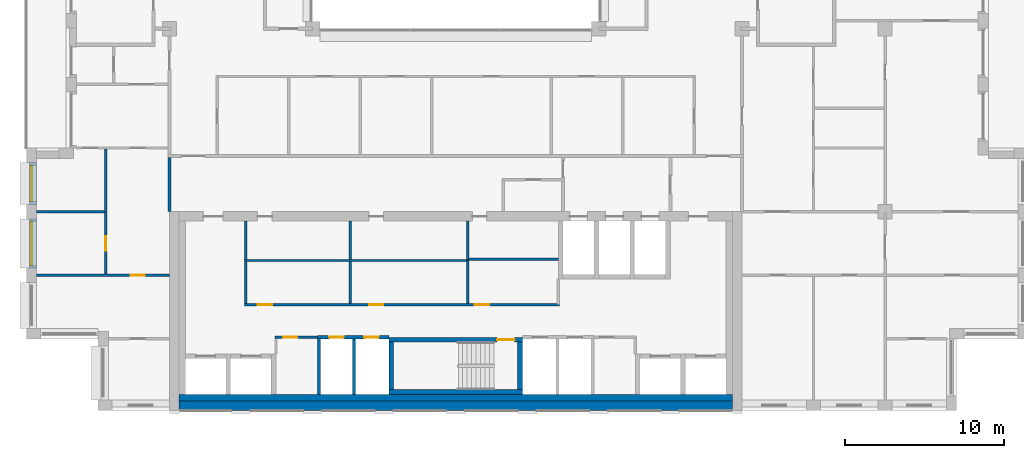
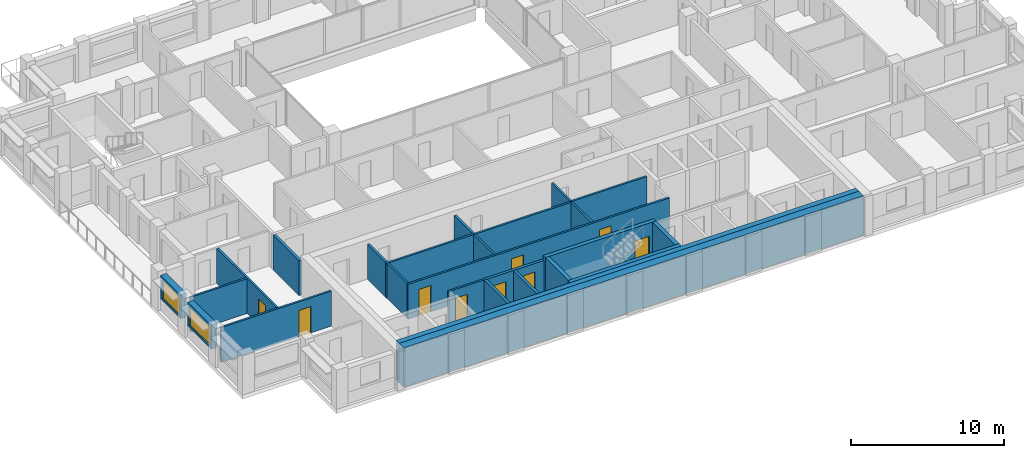
# One storey, part 8 of 15: 25 walls, 9 doors, 2 windows, 11 openings.
"""IFC4 building model written with IfcOpenShell, lengths in metres."""

import ifcopenshell
import ifcopenshell.guid

model = None  # the IFC model being written
_history = None  # IfcOwnerHistory: only IFC2X3 demands one
_inside = {}  # id of a spatial element -> (the spatial element, [elements in it])
_under = {}  # id of a project, library or spatial element -> (it, [spatial elements below it])
_declared = {}  # id of a project -> (the project, [libraries it declares])
_typed = {}  # id of a type object -> (the type object, [elements of that type])
_made_of = {}  # id of a material, layer set ... -> (it, [elements and type objects made of it])


def new_model(schema):
    """Start an empty IFC model of exactly this schema.

    Asked for "IFC4X3", IfcOpenShell would pick the latest addendum, in which some entities
    have other attributes; the version numbers below select the first issue.
    IFC2X3 requires an IfcOwnerHistory on every rooted entity: one is made here for all.
    """
    global model, _history
    if schema == "IFC4X3":
        model = ifcopenshell.file(schema_version=(4, 3, 0, 0))
    else:
        model = ifcopenshell.file(schema=schema)
    _inside.clear()
    _under.clear()
    _declared.clear()
    _typed.clear()
    _made_of.clear()
    _history = None
    if model.schema == "IFC2X3":
        org = make("IfcOrganization", Name="unknown")
        user = make(
            "IfcPersonAndOrganization",
            ThePerson=make("IfcPerson", FamilyName="unknown"),
            TheOrganization=org,
        )
        app = make(
            "IfcApplication",
            ApplicationDeveloper=org,
            Version="unknown",
            ApplicationFullName="unknown",
            ApplicationIdentifier="unknown",
        )
        _history = make(
            "IfcOwnerHistory",
            OwningUser=user,
            OwningApplication=app,
            ChangeAction="ADDED",
            CreationDate=0,
        )
    return model


def make(cls, **values):
    """One entity of the class cls with the attributes given. An attribute that is None is left unset."""
    return model.create_entity(
        cls, **{name: value for name, value in values.items() if value is not None}
    )


def rooted(cls, **values):
    """An entity with a GlobalId (a new one), such as an element, a storey or a relation."""
    return make(cls, GlobalId=ifcopenshell.guid.new(), OwnerHistory=_history, **values)


def si_unit(unit_type, name, prefix=None):
    """IfcSIUnit, for example si_unit("LENGTHUNIT", "METRE", prefix="MILLI")."""
    return make("IfcSIUnit", UnitType=unit_type, Prefix=prefix, Name=name)


def assignment(units):
    """IfcUnitAssignment: the units of a project."""
    return None if units is None else make("IfcUnitAssignment", Units=units)


def point(xyz):
    """IfcCartesianPoint."""
    return None if xyz is None else make("IfcCartesianPoint", Coordinates=xyz)


def direction(xyz):
    """IfcDirection."""
    return None if xyz is None else make("IfcDirection", DirectionRatios=xyz)


def frame(location, z_axis=None, x_axis=None):
    """IfcAxis2Placement3D, a coordinate frame: its origin and axes. An axis left out is left unset."""
    return make(
        "IfcAxis2Placement3D",
        Location=point(location),
        Axis=direction(z_axis),
        RefDirection=direction(x_axis),
    )


def frame_2d(location, x_axis=None):
    """IfcAxis2Placement2D, a coordinate frame in the plane: its origin and x axis."""
    return make(
        "IfcAxis2Placement2D", Location=point(location), RefDirection=direction(x_axis)
    )


def origin():
    """The frame at (0, 0, 0) with its axes left unset."""
    return frame((0.0, 0.0, 0.0))


def place(relative_to, where):
    """IfcLocalPlacement: puts the frame where relative to a parent placement (None: the world)."""
    return make(
        "IfcLocalPlacement", PlacementRelTo=relative_to, RelativePlacement=where
    )


def context(
    kind, dimensions, precision=None, world=None, true_north=None, identifier=None
):
    """IfcGeometricRepresentationContext, for example the 3D "Model" context."""
    return make(
        "IfcGeometricRepresentationContext",
        ContextIdentifier=identifier,
        ContextType=kind,
        CoordinateSpaceDimension=dimensions,
        Precision=precision,
        WorldCoordinateSystem=world,
        TrueNorth=true_north,
    )


def subcontext(parent, identifier, kind, view, scale=None):
    """IfcGeometricRepresentationSubContext, for example "Body" below "Model"."""
    return make(
        "IfcGeometricRepresentationSubContext",
        ContextIdentifier=identifier,
        ContextType=kind,
        ParentContext=parent,
        TargetScale=scale,
        TargetView=view,
    )


def project(units=None, contexts=None):
    """IfcProject with its units and contexts."""
    return rooted(
        "IfcProject",
        Name="project",
        RepresentationContexts=contexts,
        UnitsInContext=assignment(units),
    )


def spatial(cls, under=None, at=None, **own):
    """A site, building, storey or space (cls), placed at a placement, below another one or the project."""
    s = rooted(cls, ObjectPlacement=at, **own)
    if under is not None:
        _under.setdefault(under.id(), (under, []))[1].append(s)
    return s


def profile(cls, at=None, kind="AREA", **sizes):
    """A parametric profile (cls). Its sizes go by their IFC names, for example OverallWidth=200.0."""
    return make(cls, ProfileType=kind, Position=at, **sizes)


def rectangle(**sizes):
    """IfcRectangleProfileDef."""
    return profile("IfcRectangleProfileDef", **sizes)


def extrude(swept, where, along, depth):
    """IfcExtrudedAreaSolid: the profile swept, set in the frame where, extruded along a direction by depth."""
    return make(
        "IfcExtrudedAreaSolid",
        SweptArea=swept,
        Position=where,
        ExtrudedDirection=direction(along),
        Depth=depth,
    )


def shape(context_of_items, identifier, shape_type, items):
    """IfcShapeRepresentation: the items that make up one representation, for example the "Body"."""
    return make(
        "IfcShapeRepresentation",
        ContextOfItems=context_of_items,
        RepresentationIdentifier=identifier,
        RepresentationType=shape_type,
        Items=items,
    )


def material(Name=None, Category=None):
    """IfcMaterial."""
    return make("IfcMaterial", Name=Name, Category=Category)


def layer(
    of_material, thickness, ventilated=None, Name=None, Category=None, Priority=None
):
    """IfcMaterialLayer: one layer of a wall or slab, of a material (None: an air gap)."""
    return make(
        "IfcMaterialLayer",
        Material=of_material,
        LayerThickness=thickness,
        IsVentilated=ventilated,
        Name=Name,
        Category=Category,
        Priority=Priority,
    )


def layer_set(layers, Name=None):
    """IfcMaterialLayerSet."""
    return make("IfcMaterialLayerSet", MaterialLayers=layers, LayerSetName=Name)


def made_of(thing, what):
    """Note that an element or type object is made of a material, layer set ...; save() writes the relation."""
    if what is not None:
        _made_of.setdefault(what.id(), (what, []))[1].append(thing)
    return thing


def type_object(cls, material=None, **own):
    """A type object (cls), such as IfcWallType, which elements share."""
    return made_of(rooted(cls, **own), material)


def element(
    cls,
    number,
    at=None,
    inside=None,
    cuts=None,
    type_object=None,
    material=None,
    context=None,
    identifier="Body",
    shape_type=None,
    held_by="IfcProductDefinitionShape",
    body=None,
    shapes=None,
    **own,
):
    """One element of the class cls, such as IfcWall. Its Tag is "e" and its number.

    at: its placement. inside: the storey or other place that contains it. cuts: it is an
    opening in that element (IfcRelVoidsElement). A single representation is given by context,
    identifier, shape_type and body (its items); several are given by shapes. held_by: the class
    of the entity that holds the representations. save() writes the other relations.
    """
    e = rooted(cls, Tag="e%d" % number, ObjectPlacement=at, **own)
    if body is not None:
        shapes = [shape(context, identifier, shape_type, body)]
    if shapes is not None:
        e.Representation = make(held_by, Representations=shapes)
    if inside is not None:
        _inside.setdefault(inside.id(), (inside, []))[1].append(e)
    if cuts is not None:
        rooted(
            "IfcRelVoidsElement", RelatingBuildingElement=cuts, RelatedOpeningElement=e
        )
    if type_object is not None:
        _typed.setdefault(type_object.id(), (type_object, []))[1].append(e)
    return made_of(e, material)


def fill(opening, filler):
    """IfcRelFillsElement: the door or window that sits in an opening."""
    return rooted(
        "IfcRelFillsElement",
        RelatingOpeningElement=opening,
        RelatedBuildingElement=filler,
    )


def aggregate(whole, parts):
    """IfcRelAggregates: a whole, such as a stair, and the parts it consists of."""
    return rooted("IfcRelAggregates", RelatingObject=whole, RelatedObjects=parts)


def save(model, path):
    """Write the relations noted so far, then the file.

    IfcRelAggregates (storeys below a building ...), IfcRelContainedInSpatialStructure (elements
    in a storey), IfcRelDefinesByType, IfcRelAssociatesMaterial and IfcRelDeclares: one each for
    every whole, place, type object, material and project.
    """
    for whole, parts in _under.values():
        aggregate(whole, parts)
    for where, things in _inside.values():
        rooted(
            "IfcRelContainedInSpatialStructure",
            RelatedElements=things,
            RelatingStructure=where,
        )
    for kind, things in _typed.values():
        rooted("IfcRelDefinesByType", RelatedObjects=things, RelatingType=kind)
    for what, things in _made_of.values():
        rooted("IfcRelAssociatesMaterial", RelatedObjects=things, RelatingMaterial=what)
    for by, libraries in _declared.values():
        rooted("IfcRelDeclares", RelatingContext=by, RelatedDefinitions=libraries)
    model.write(path)


model = new_model("IFC4")

# Units and contexts
model_context = context("Model", 3, precision=1e-05, world=origin(), true_north=direction((0.0, 1.0)))
body_context = subcontext(model_context, "Body", "Model", "MODEL_VIEW")
ifc_project = project(units=[si_unit("LENGTHUNIT", "METRE"), si_unit("AREAUNIT", "SQUARE_METRE"), si_unit("VOLUMEUNIT", "CUBIC_METRE"), si_unit("PLANEANGLEUNIT", "RADIAN"), si_unit("MASSUNIT", "GRAM", prefix="KILO")], contexts=[model_context])

# Site, building, storey
site_placement = place(None, origin())
site = spatial("IfcSite", under=ifc_project, at=site_placement, CompositionType="ELEMENT")
building_placement = place(site_placement, origin())
building = spatial("IfcBuilding", under=site, at=building_placement, Name="Brigalow Station Residences", CompositionType="ELEMENT")
storey_placement = place(building_placement, frame((0.0, 0.0, 232.64990234375)))
storey = spatial("IfcBuildingStorey", under=building, at=storey_placement, Name="L67", CompositionType="ELEMENT", Elevation=232.64990234375)

# Wall, opening, window
ifc_material_1 = material(Name="Clay brick masonry", Category="masonry")
ifc_layer_1 = layer(ifc_material_1, 0.449951171875)
ifc_layer_set_1 = layer_set([ifc_layer_1], Name="BRICK INFILL WALL 450")
wall_type_1 = type_object("IfcWallType", Name="BRICK INFILL WALL 450", PredefinedType="SOLIDWALL", material=ifc_layer_set_1)
wall_1_placement = place(storey_placement, frame((9.425048828125, 15.60009765625, 0.900146484375), z_axis=(0.0, 0.0, 1.0), x_axis=(0.0, -1.0, 0.0)))
wall_1 = element("IfcWall", 1, at=wall_1_placement, inside=storey, type_object=wall_type_1, Name="L67/ewall/W-L67-41", PredefinedType="SOLIDWALL", context=body_context, shape_type="SweptSolid", body=[
    extrude(rectangle(XDim=2.650146484375, YDim=0.449951171875, at=frame_2d((1.3251953125, 0.0))), origin(), (0.0, 0.0, 1.0), 1.89990234375),
])
opening_1_placement = place(wall_1_placement, frame((0.199951171875, 0.0, 0.14990234375)))
opening_1 = element("IfcOpeningElement", 2, at=opening_1_placement, cuts=wall_1, Name="Opening WT-6", PredefinedType="OPENING", context=body_context, shape_type="SweptSolid", body=[
    extrude(rectangle(XDim=2.25, YDim=1.5, at=frame_2d((1.125, 0.75))), frame((0.0, 0.23486328125, 0.0), z_axis=(0.0, -1.0, 0.0), x_axis=(1.0, 0.0, 0.0)), (0.0, 0.0, 1.0), 0.469970703125),
])
ifc_material_2 = material(Name="Anodised aluminium frame with double glazing", Category="aluminium")
window_type_1 = type_object("IfcWindowType", Name="WINDOW 2250x1500", PartitioningType="SINGLE_PANEL", PredefinedType="WINDOW", material=ifc_material_2)
window_1_placement = place(opening_1_placement, origin())
window_1 = element("IfcWindow", 3, at=window_1_placement, inside=storey, type_object=window_type_1, Name="L67/window/W-L67-41", OverallHeight=1.5, OverallWidth=2.25, PartitioningType="SINGLE_PANEL", PredefinedType="WINDOW", context=body_context, shape_type="SweptSolid", body=[
    extrude(rectangle(XDim=2.25, YDim=1.5, at=frame_2d((1.125, 0.75))), frame((0.0, -0.06494140625, 0.0), z_axis=(0.0, -1.0, 0.0), x_axis=(1.0, 0.0, 0.0)), (0.0, 0.0, 1.0), 0.06005859375),
])
fill(opening_1, window_1)

wall_2_placement = place(storey_placement, frame((9.425048828125, 12.050048828125, 0.900146484375), z_axis=(0.0, 0.0, 1.0), x_axis=(0.0, -1.0, 0.0)))
wall_2 = element("IfcWall", 4, at=wall_2_placement, inside=storey, type_object=wall_type_1, Name="L67/ewall/W-L67-42", PredefinedType="SOLIDWALL", context=body_context, shape_type="SweptSolid", body=[
    extrude(rectangle(XDim=3.10009765625, YDim=0.449951171875, at=frame_2d((1.550048828125, 0.0))), origin(), (0.0, 0.0, 1.0), 1.89990234375),
])
opening_2_placement = place(wall_2_placement, frame((0.175048828125, 0.0, 0.14990234375)))
opening_2 = element("IfcOpeningElement", 5, at=opening_2_placement, cuts=wall_2, Name="Opening WT-3", PredefinedType="OPENING", context=body_context, shape_type="SweptSolid", body=[
    extrude(rectangle(XDim=2.75, YDim=1.5, at=frame_2d((1.375, 0.75))), frame((0.0, 0.23486328125, 0.0), z_axis=(0.0, -1.0, 0.0), x_axis=(1.0, 0.0, 0.0)), (0.0, 0.0, 1.0), 0.469970703125),
])
ifc_material_3 = material(Name="Anodised aluminium frame with double glazing", Category="aluminium")
window_type_2 = type_object("IfcWindowType", Name="WINDOW 2750x1500", PartitioningType="SINGLE_PANEL", PredefinedType="WINDOW", material=ifc_material_3)
window_2_placement = place(opening_2_placement, origin())
window_2 = element("IfcWindow", 6, at=window_2_placement, inside=storey, type_object=window_type_2, Name="L67/window/W-L67-42", OverallHeight=1.5, OverallWidth=2.75, PartitioningType="SINGLE_PANEL", PredefinedType="WINDOW", context=body_context, shape_type="SweptSolid", body=[
    extrude(rectangle(XDim=2.75, YDim=1.5, at=frame_2d((1.375, 0.75))), frame((0.0, -0.06494140625, 0.0), z_axis=(0.0, -1.0, 0.0), x_axis=(1.0, 0.0, 0.0)), (0.0, 0.0, 1.0), 0.06005859375),
])
fill(opening_2, window_2)

# Wall
ifc_material_4 = material(Name="Concrete C50", Category="concrete")
ifc_layer_2 = layer(ifc_material_4, 0.300048828125)
ifc_layer_set_2 = layer_set([ifc_layer_2], Name="CORE SHEAR WALL 300 C50")
wall_type_2 = type_object("IfcWallType", Name="CORE SHEAR WALL 300 C50", PredefinedType="SHEAR", material=ifc_layer_set_2)
wall_3_placement = place(storey_placement, frame((31.800048828125, 1.14990234375, 0.0), z_axis=(0.0, 0.0, 1.0), x_axis=(1.0, 0.0, 0.0)))
element("IfcWall", 7, at=wall_3_placement, inside=storey, type_object=wall_type_2, Name="CORE WALL ST-S2-S L67", PredefinedType="SHEAR", context=body_context, shape_type="SweptSolid", body=[
    extrude(rectangle(XDim=8.39990234375, YDim=0.300048828125, at=frame_2d((4.199951171875, 0.0))), origin(), (0.0, 0.0, 1.0), 3.150146484375),
])

# Wall, opening, door
wall_4_placement = place(storey_placement, frame((31.800048828125, 4.449951171875, 0.0), z_axis=(0.0, 0.0, 1.0), x_axis=(1.0, 0.0, 0.0)))
wall_4 = element("IfcWall", 8, at=wall_4_placement, inside=storey, type_object=wall_type_2, Name="CORE WALL ST-S2-N L67", PredefinedType="SHEAR", context=body_context, shape_type="SweptSolid", body=[
    extrude(rectangle(XDim=8.39990234375, YDim=0.300048828125, at=frame_2d((4.199951171875, 0.0))), origin(), (0.0, 0.0, 1.0), 3.150146484375),
])
opening_3_placement = place(wall_4_placement, frame((6.800048828125, 0.0, 0.0)))
opening_3 = element("IfcOpeningElement", 9, at=opening_3_placement, cuts=wall_4, Name="Opening D-5001", PredefinedType="OPENING", context=body_context, shape_type="SweptSolid", body=[
    extrude(rectangle(XDim=1.10009765625, YDim=2.10009765625, at=frame_2d((0.550048828125, 1.050048828125))), frame((0.0, 0.16015625, 0.0), z_axis=(0.0, -1.0, 0.0), x_axis=(1.0, 0.0, 0.0)), (0.0, 0.0, 1.0), 0.320068359375),
])
ifc_material_5 = material(Name="Steel fire door leaf in steel frame", Category="steel")
door_type_1 = type_object("IfcDoorType", Name="STAIR DOOR 1100 x 2100 FD60S", OperationType="SINGLE_SWING_LEFT", PredefinedType="DOOR", material=ifc_material_5)
door_1_placement = place(opening_3_placement, frame((1.10009765625, 0.0, 0.0), z_axis=(0.0, 0.0, 1.0), x_axis=(-1.0, 0.0, 0.0)))
door_1 = element("IfcDoor", 10, at=door_1_placement, inside=storey, type_object=door_type_1, Name="D-5001", OperationType="SINGLE_SWING_LEFT", OverallHeight=2.10009765625, OverallWidth=1.10009765625, PredefinedType="DOOR", context=body_context, shape_type="SweptSolid", body=[
    extrude(rectangle(XDim=1.10009765625, YDim=2.10009765625, at=frame_2d((0.550048828125, 1.050048828125))), frame((0.0, 0.02490234375, 0.0), z_axis=(0.0, -1.0, 0.0), x_axis=(1.0, 0.0, 0.0)), (0.0, 0.0, 1.0), 0.050048828125),
])
fill(opening_3, door_1)

# Walls
for number, where, z_axis, x_axis, name in (
    (11, (31.949951171875, 1.300048828125, 0.0), (0.0, 0.0, 1.0), (0.0, 1.0, 0.0), "CORE WALL ST-S2-W L67"),
    (12, (40.050048828125, 1.300048828125, 0.0), (0.0, 0.0, 1.0), (0.0, 1.0, 0.0), "CORE WALL ST-S2-E L67"),
):
    element("IfcWall", number, at=place(storey_placement, frame(where, z_axis=z_axis, x_axis=x_axis)), inside=storey, type_object=wall_type_2, Name=name, PredefinedType="SHEAR", context=body_context, shape_type="SweptSolid", body=[
        extrude(rectangle(XDim=3.0, YDim=0.300048828125, at=frame_2d((1.5, 0.0))), origin(), (0.0, 0.0, 1.0), 3.150146484375),
    ])
ifc_material_6 = material(Name="Concrete C50", Category="concrete")
ifc_layer_3 = layer(ifc_material_6, 0.39990234375)
ifc_layer_set_3 = layer_set([ifc_layer_3], Name="CORE SHEAR WALL 400 C50")
wall_type_3 = type_object("IfcWallType", Name="CORE SHEAR WALL 400 C50", PredefinedType="SHEAR", material=ifc_layer_set_3)
wall_5_placement = place(storey_placement, frame((18.60009765625, 0.800048828125, 0.0), z_axis=(0.0, 0.0, 1.0), x_axis=(1.0, 0.0, 0.0)))
element("IfcWall", 13, at=wall_5_placement, inside=storey, type_object=wall_type_3, Name="CORE WALL LIN-S L67", PredefinedType="SHEAR", context=body_context, shape_type="SweptSolid", body=[
    extrude(rectangle(XDim=34.7998046875, YDim=0.39990234375, at=frame_2d((17.39990234375, 0.0))), origin(), (0.0, 0.0, 1.0), 3.150146484375),
])
ifc_material_7 = material(Name="Concrete C50", Category="concrete")
ifc_layer_4 = layer(ifc_material_7, 0.60009765625)
ifc_layer_set_4 = layer_set([ifc_layer_4], Name="CORE SHEAR WALL 600 C50")
wall_type_4 = type_object("IfcWallType", Name="CORE SHEAR WALL 600 C50", PredefinedType="SHEAR", material=ifc_layer_set_4)
wall_6_placement = place(storey_placement, frame((18.60009765625, 0.300048828125, 0.0), z_axis=(0.0, 0.0, 1.0), x_axis=(1.0, 0.0, 0.0)))
element("IfcWall", 14, at=wall_6_placement, inside=storey, type_object=wall_type_4, Name="CORE WALL OUT-S L67", PredefinedType="SHEAR", context=body_context, shape_type="SweptSolid", body=[
    extrude(rectangle(XDim=34.7998046875, YDim=0.60009765625, at=frame_2d((17.39990234375, 0.0))), origin(), (0.0, 0.0, 1.0), 3.150146484375),
])

# Wall, openings, doors
ifc_material_8 = material(Name="Concrete blockwork", Category="masonry")
ifc_layer_5 = layer(ifc_material_8, 0.199951171875)
ifc_layer_set_5 = layer_set([ifc_layer_5], Name="FIRE RATED CORE PARTITION 200")
wall_type_5 = type_object("IfcWallType", Name="FIRE RATED CORE PARTITION 200", PredefinedType="PARTITIONING", material=ifc_layer_set_5)
wall_7_placement = place(storey_placement, frame((27.300048828125, 4.60009765625, 0.0), z_axis=(0.0, 0.0, 1.0), x_axis=(1.0, 0.0, 0.0)))
wall_7 = element("IfcWall", 15, at=wall_7_placement, inside=storey, type_object=wall_type_5, Name="PW-5017", PredefinedType="PARTITIONING", context=body_context, shape_type="SweptSolid", body=[
    extrude(rectangle(XDim=4.5, YDim=0.199951171875, at=frame_2d((2.25, 0.0))), origin(), (0.0, 0.0, 1.0), 2.800048828125),
])
opening_4_placement = place(wall_7_placement, frame((0.75, 0.0, 0.0)))
opening_4 = element("IfcOpeningElement", 16, at=opening_4_placement, cuts=wall_7, Name="Opening D-5007", PredefinedType="OPENING", context=body_context, shape_type="SweptSolid", body=[
    extrude(rectangle(XDim=0.89990234375, YDim=2.10009765625, at=frame_2d((0.449951171875, 1.050048828125))), frame((0.0, 0.10986328125, 0.0), z_axis=(0.0, -1.0, 0.0), x_axis=(1.0, 0.0, 0.0)), (0.0, 0.0, 1.0), 0.219970703125),
])
opening_5_placement = place(wall_7_placement, frame((2.949951171875, 0.0, 0.0)))
opening_5 = element("IfcOpeningElement", 17, at=opening_5_placement, cuts=wall_7, Name="Opening D-5008", PredefinedType="OPENING", context=body_context, shape_type="SweptSolid", body=[
    extrude(rectangle(XDim=0.89990234375, YDim=2.10009765625, at=frame_2d((0.449951171875, 1.050048828125))), frame((0.0, 0.10986328125, 0.0), z_axis=(0.0, -1.0, 0.0), x_axis=(1.0, 0.0, 0.0)), (0.0, 0.0, 1.0), 0.219970703125),
])
ifc_material_9 = material(Name="Steel fire door leaf in steel frame", Category="steel")
door_type_2 = type_object("IfcDoorType", Name="RISER ACCESS DOOR 900 x 2100 FD120", OperationType="SINGLE_SWING_LEFT", PredefinedType="DOOR", material=ifc_material_9)
door_2_placement = place(opening_4_placement, frame((0.89990234375, 0.0, 0.0), z_axis=(0.0, 0.0, 1.0), x_axis=(-1.0, 0.0, 0.0)))
door_2 = element("IfcDoor", 18, at=door_2_placement, inside=storey, type_object=door_type_2, Name="D-5007", OperationType="SINGLE_SWING_RIGHT", OverallHeight=2.10009765625, OverallWidth=0.89990234375, PredefinedType="DOOR", context=body_context, shape_type="SweptSolid", body=[
    extrude(rectangle(XDim=0.89990234375, YDim=2.10009765625, at=frame_2d((0.449951171875, 1.050048828125))), frame((0.0, 0.02490234375, 0.0), z_axis=(0.0, -1.0, 0.0), x_axis=(1.0, 0.0, 0.0)), (0.0, 0.0, 1.0), 0.050048828125),
])
fill(opening_4, door_2)
door_3_placement = place(opening_5_placement, frame((0.89990234375, 0.0, 0.0), z_axis=(0.0, 0.0, 1.0), x_axis=(-1.0, 0.0, 0.0)))
door_3 = element("IfcDoor", 19, at=door_3_placement, inside=storey, type_object=door_type_2, Name="D-5008", OperationType="SINGLE_SWING_RIGHT", OverallHeight=2.10009765625, OverallWidth=0.89990234375, PredefinedType="DOOR", context=body_context, shape_type="SweptSolid", body=[
    extrude(rectangle(XDim=0.89990234375, YDim=2.10009765625, at=frame_2d((0.449951171875, 1.050048828125))), frame((0.0, 0.02490234375, 0.0), z_axis=(0.0, -1.0, 0.0), x_axis=(1.0, 0.0, 0.0)), (0.0, 0.0, 1.0), 0.050048828125),
])
fill(opening_5, door_3)

# Walls
wall_8_placement = place(storey_placement, frame((27.39990234375, 1.0, 0.0), z_axis=(0.0, 0.0, 1.0), x_axis=(0.0, 1.0, 0.0)))
element("IfcWall", 20, at=wall_8_placement, inside=storey, type_object=wall_type_5, Name="PW-5027", PredefinedType="PARTITIONING", context=body_context, shape_type="SweptSolid", body=[
    extrude(rectangle(XDim=3.52490234375, YDim=0.199951171875, at=frame_2d((1.762451171875, 0.0))), origin(), (0.0, 0.0, 1.0), 2.800048828125),
])
wall_9_placement = place(storey_placement, frame((29.60009765625, 1.0, 0.0), z_axis=(0.0, 0.0, 1.0), x_axis=(0.0, 1.0, 0.0)))
element("IfcWall", 21, at=wall_9_placement, inside=storey, type_object=wall_type_5, Name="PW-5006", PredefinedType="PARTITIONING", context=body_context, shape_type="SweptSolid", body=[
    extrude(rectangle(XDim=3.5, YDim=0.199951171875, at=frame_2d((1.75, 0.0))), origin(), (0.0, 0.0, 1.0), 2.800048828125),
])
wall_10_placement = place(storey_placement, frame((18.0, 12.5, 0.0), z_axis=(0.0, 0.0, 1.0), x_axis=(0.0, 1.0, 0.0)))
element("IfcWall", 22, at=wall_10_placement, inside=storey, type_object=wall_type_5, Name="PW-5013", PredefinedType="PARTITIONING", context=body_context, shape_type="SweptSolid", body=[
    extrude(rectangle(XDim=3.39990234375, YDim=0.199951171875, at=frame_2d((1.699951171875, 0.0))), origin(), (0.0, 0.0, 1.0), 2.800048828125),
])
ifc_material_10 = material(Name="Plasterboard on steel stud partition", Category="steel")
ifc_layer_6 = layer(ifc_material_10, 0.14990234375)
ifc_layer_set_6 = layer_set([ifc_layer_6], Name="FLAT PARTITION 150")
wall_type_6 = type_object("IfcWallType", Name="FLAT PARTITION 150", PredefinedType="PARTITIONING", material=ifc_layer_set_6)
wall_11_placement = place(storey_placement, frame((9.64990234375, 12.5, 0.0), z_axis=(0.0, 0.0, 1.0), x_axis=(1.0, 0.0, 0.0)))
element("IfcWall", 23, at=wall_11_placement, inside=storey, type_object=wall_type_6, Name="PW-4E11", PredefinedType="PARTITIONING", context=body_context, shape_type="SweptSolid", body=[
    extrude(rectangle(XDim=4.275146484375, YDim=0.14990234375, at=frame_2d((2.1376953125, 0.0))), origin(), (0.0, 0.0, 1.0), 2.800048828125),
])

# Wall, opening, door
wall_12_placement = place(storey_placement, frame((9.64990234375, 8.5, 0.0), z_axis=(0.0, 0.0, 1.0), x_axis=(1.0, 0.0, 0.0)))
wall_12 = element("IfcWall", 24, at=wall_12_placement, inside=storey, type_object=wall_type_6, Name="PW-4E13", PredefinedType="PARTITIONING", context=body_context, shape_type="SweptSolid", body=[
    extrude(rectangle(XDim=8.35009765625, YDim=0.14990234375, at=frame_2d((4.175048828125, 0.0))), origin(), (0.0, 0.0, 1.0), 2.800048828125),
])
opening_6_placement = place(wall_12_placement, frame((5.89990234375, 0.0, 0.0)))
opening_6 = element("IfcOpeningElement", 25, at=opening_6_placement, cuts=wall_12, Name="Opening D-4E09", PredefinedType="OPENING", context=body_context, shape_type="SweptSolid", body=[
    extrude(rectangle(XDim=0.89990234375, YDim=2.10009765625, at=frame_2d((0.449951171875, 1.050048828125))), frame((0.0, 0.0849609375, 0.0), z_axis=(0.0, -1.0, 0.0), x_axis=(1.0, 0.0, 0.0)), (0.0, 0.0, 1.0), 0.169921875),
])
ifc_material_11 = material(Name="Solid-core timber door leaf", Category="wood")
door_type_3 = type_object("IfcDoorType", Name="INTERNAL DOOR 900 x 2100", OperationType="SINGLE_SWING_LEFT", PredefinedType="DOOR", material=ifc_material_11)
door_4_placement = place(opening_6_placement, frame((0.89990234375, 0.0, 0.0), z_axis=(0.0, 0.0, 1.0), x_axis=(-1.0, 0.0, 0.0)))
door_4 = element("IfcDoor", 26, at=door_4_placement, inside=storey, type_object=door_type_3, Name="D-4E09", OperationType="SINGLE_SWING_LEFT", OverallHeight=2.10009765625, OverallWidth=0.89990234375, PredefinedType="DOOR", context=body_context, shape_type="SweptSolid", body=[
    extrude(rectangle(XDim=0.89990234375, YDim=2.10009765625, at=frame_2d((0.449951171875, 1.050048828125))), frame((0.0, 0.02490234375, 0.0), z_axis=(0.0, -1.0, 0.0), x_axis=(1.0, 0.0, 0.0)), (0.0, 0.0, 1.0), 0.050048828125),
])
fill(opening_6, door_4)

wall_13_placement = place(storey_placement, frame((14.0, 8.574951171875, 0.0), z_axis=(0.0, 0.0, 1.0), x_axis=(0.0, 1.0, 0.0)))
wall_13 = element("IfcWall", 27, at=wall_13_placement, inside=storey, type_object=wall_type_6, Name="PW-4E40", PredefinedType="PARTITIONING", context=body_context, shape_type="SweptSolid", body=[
    extrude(rectangle(XDim=7.85009765625, YDim=0.14990234375, at=frame_2d((3.925048828125, 0.0))), origin(), (0.0, 0.0, 1.0), 2.800048828125),
])
opening_7_placement = place(wall_13_placement, frame((1.47509765625, 0.0, 0.0)))
opening_7 = element("IfcOpeningElement", 28, at=opening_7_placement, cuts=wall_13, Name="Opening D-4E08", PredefinedType="OPENING", context=body_context, shape_type="SweptSolid", body=[
    extrude(rectangle(XDim=0.89990234375, YDim=2.10009765625, at=frame_2d((0.449951171875, 1.050048828125))), frame((0.0, 0.0849609375, 0.0), z_axis=(0.0, -1.0, 0.0), x_axis=(1.0, 0.0, 0.0)), (0.0, 0.0, 1.0), 0.169921875),
])
door_5_placement = place(opening_7_placement, origin())
door_5 = element("IfcDoor", 29, at=door_5_placement, inside=storey, type_object=door_type_3, Name="D-4E08", OperationType="SINGLE_SWING_RIGHT", OverallHeight=2.10009765625, OverallWidth=0.89990234375, PredefinedType="DOOR", context=body_context, shape_type="SweptSolid", body=[
    extrude(rectangle(XDim=0.89990234375, YDim=2.10009765625, at=frame_2d((0.449951171875, 1.050048828125))), frame((0.0, 0.02490234375, 0.0), z_axis=(0.0, -1.0, 0.0), x_axis=(1.0, 0.0, 0.0)), (0.0, 0.0, 1.0), 0.050048828125),
])
fill(opening_7, door_5)

ifc_material_12 = material(Name="Plasterboard on steel studs", Category="steel")
ifc_layer_7 = layer(ifc_material_12, 0.14990234375)
ifc_layer_set_7 = layer_set([ifc_layer_7], Name="SERVICE ROOM PARTITION 150")
wall_type_7 = type_object("IfcWallType", Name="SERVICE ROOM PARTITION 150", PredefinedType="PARTITIONING", material=ifc_layer_set_7)
wall_14_placement = place(storey_placement, frame((24.625, 4.60009765625, 0.0), z_axis=(0.0, 0.0, 1.0), x_axis=(1.0, 0.0, 0.0)))
wall_14 = element("IfcWall", 30, at=wall_14_placement, inside=storey, type_object=wall_type_7, Name="PW-5155", PredefinedType="PARTITIONING", context=body_context, shape_type="SweptSolid", body=[
    extrude(rectangle(XDim=2.675048828125, YDim=0.14990234375, at=frame_2d((1.33740234375, 0.0))), origin(), (0.0, 0.0, 1.0), 2.800048828125),
])
opening_8_placement = place(wall_14_placement, frame((0.52490234375, 0.0, 0.0)))
opening_8 = element("IfcOpeningElement", 31, at=opening_8_placement, cuts=wall_14, Name="Opening D-5087", PredefinedType="OPENING", context=body_context, shape_type="SweptSolid", body=[
    extrude(rectangle(XDim=0.89990234375, YDim=2.10009765625, at=frame_2d((0.449951171875, 1.050048828125))), frame((0.0, 0.0849609375, 0.0), z_axis=(0.0, -1.0, 0.0), x_axis=(1.0, 0.0, 0.0)), (0.0, 0.0, 1.0), 0.169921875),
])
ifc_material_13 = material(Name="Steel door leaf in steel frame", Category="steel")
door_type_4 = type_object("IfcDoorType", Name="SERVICE ROOM DOOR 900 x 2100 FD60", OperationType="SINGLE_SWING_LEFT", PredefinedType="DOOR", material=ifc_material_13)
door_6_placement = place(opening_8_placement, frame((0.89990234375, 0.0, 0.0), z_axis=(0.0, 0.0, 1.0), x_axis=(-1.0, 0.0, 0.0)))
door_6 = element("IfcDoor", 32, at=door_6_placement, inside=storey, type_object=door_type_4, Name="D-5087", OperationType="SINGLE_SWING_RIGHT", OverallHeight=2.10009765625, OverallWidth=0.89990234375, PredefinedType="DOOR", context=body_context, shape_type="SweptSolid", body=[
    extrude(rectangle(XDim=0.89990234375, YDim=2.10009765625, at=frame_2d((0.449951171875, 1.050048828125))), frame((0.0, 0.02490234375, 0.0), z_axis=(0.0, -1.0, 0.0), x_axis=(1.0, 0.0, 0.0)), (0.0, 0.0, 1.0), 0.050048828125),
])
fill(opening_8, door_6)

# Wall, openings, doors
wall_15_placement = place(storey_placement, frame((22.72509765625, 6.64990234375, 0.0), z_axis=(0.0, 0.0, 1.0), x_axis=(1.0, 0.0, 0.0)))
wall_15 = element("IfcWall", 33, at=wall_15_placement, inside=storey, type_object=wall_type_7, Name="PW-5195", PredefinedType="PARTITIONING", context=body_context, shape_type="SweptSolid", body=[
    extrude(rectangle(XDim=19.7998046875, YDim=0.14990234375, at=frame_2d((9.89990234375, 0.0))), origin(), (0.0, 0.0, 1.0), 2.800048828125),
])
opening_9_placement = place(wall_15_placement, frame((0.824951171875, 0.0, 0.0)))
opening_9 = element("IfcOpeningElement", 34, at=opening_9_placement, cuts=wall_15, Name="Opening D-5110", PredefinedType="OPENING", context=body_context, shape_type="SweptSolid", body=[
    extrude(rectangle(XDim=0.89990234375, YDim=2.10009765625, at=frame_2d((0.449951171875, 1.050048828125))), frame((0.0, 0.0849609375, 0.0), z_axis=(0.0, -1.0, 0.0), x_axis=(1.0, 0.0, 0.0)), (0.0, 0.0, 1.0), 0.169921875),
])
opening_10_placement = place(wall_15_placement, frame((7.824951171875, 0.0, 0.0)))
opening_10 = element("IfcOpeningElement", 35, at=opening_10_placement, cuts=wall_15, Name="Opening D-5123", PredefinedType="OPENING", context=body_context, shape_type="SweptSolid", body=[
    extrude(rectangle(XDim=0.89990234375, YDim=2.10009765625, at=frame_2d((0.449951171875, 1.050048828125))), frame((0.0, 0.0849609375, 0.0), z_axis=(0.0, -1.0, 0.0), x_axis=(1.0, 0.0, 0.0)), (0.0, 0.0, 1.0), 0.169921875),
])
opening_11_placement = place(wall_15_placement, frame((14.47509765625, 0.0, 0.0)))
opening_11 = element("IfcOpeningElement", 36, at=opening_11_placement, cuts=wall_15, Name="Opening D-5114", PredefinedType="OPENING", context=body_context, shape_type="SweptSolid", body=[
    extrude(rectangle(XDim=0.89990234375, YDim=2.10009765625, at=frame_2d((0.449951171875, 1.050048828125))), frame((0.0, 0.0849609375, 0.0), z_axis=(0.0, -1.0, 0.0), x_axis=(1.0, 0.0, 0.0)), (0.0, 0.0, 1.0), 0.169921875),
])
door_7_placement = place(opening_9_placement, origin())
door_7 = element("IfcDoor", 37, at=door_7_placement, inside=storey, type_object=door_type_4, Name="D-5110", OperationType="SINGLE_SWING_LEFT", OverallHeight=2.10009765625, OverallWidth=0.89990234375, PredefinedType="DOOR", context=body_context, shape_type="SweptSolid", body=[
    extrude(rectangle(XDim=0.89990234375, YDim=2.10009765625, at=frame_2d((0.449951171875, 1.050048828125))), frame((0.0, 0.02490234375, 0.0), z_axis=(0.0, -1.0, 0.0), x_axis=(1.0, 0.0, 0.0)), (0.0, 0.0, 1.0), 0.050048828125),
])
fill(opening_9, door_7)
door_8_placement = place(opening_10_placement, origin())
door_8 = element("IfcDoor", 38, at=door_8_placement, inside=storey, type_object=door_type_4, Name="D-5123", OperationType="SINGLE_SWING_LEFT", OverallHeight=2.10009765625, OverallWidth=0.89990234375, PredefinedType="DOOR", context=body_context, shape_type="SweptSolid", body=[
    extrude(rectangle(XDim=0.89990234375, YDim=2.10009765625, at=frame_2d((0.449951171875, 1.050048828125))), frame((0.0, 0.02490234375, 0.0), z_axis=(0.0, -1.0, 0.0), x_axis=(1.0, 0.0, 0.0)), (0.0, 0.0, 1.0), 0.050048828125),
])
fill(opening_10, door_8)
door_9_placement = place(opening_11_placement, origin())
door_9 = element("IfcDoor", 39, at=door_9_placement, inside=storey, type_object=door_type_4, Name="D-5114", OperationType="SINGLE_SWING_LEFT", OverallHeight=2.10009765625, OverallWidth=0.89990234375, PredefinedType="DOOR", context=body_context, shape_type="SweptSolid", body=[
    extrude(rectangle(XDim=0.89990234375, YDim=2.10009765625, at=frame_2d((0.449951171875, 1.050048828125))), frame((0.0, 0.02490234375, 0.0), z_axis=(0.0, -1.0, 0.0), x_axis=(1.0, 0.0, 0.0)), (0.0, 0.0, 1.0), 0.050048828125),
])
fill(opening_11, door_9)

# Walls
wall_16_placement = place(storey_placement, frame((22.72509765625, 9.429931640625, 0.0), z_axis=(0.0, 0.0, 1.0), x_axis=(1.0, 0.0, 0.0)))
element("IfcWall", 40, at=wall_16_placement, inside=storey, type_object=wall_type_7, Name="PW-5236", PredefinedType="PARTITIONING", context=body_context, shape_type="SweptSolid", body=[
    extrude(rectangle(XDim=14.099853515625, YDim=0.14990234375, at=frame_2d((7.0498046875, 0.0))), origin(), (0.0, 0.0, 1.0), 2.800048828125),
])
wall_17_placement = place(storey_placement, frame((36.675048828125, 9.5, 0.0), z_axis=(0.0, 0.0, 1.0), x_axis=(1.0, 0.0, 0.0)))
element("IfcWall", 41, at=wall_17_placement, inside=storey, type_object=wall_type_7, Name="PW-5215", PredefinedType="PARTITIONING", context=body_context, shape_type="SweptSolid", body=[
    extrude(rectangle(XDim=5.77490234375, YDim=0.14990234375, at=frame_2d((2.887451171875, 0.0))), origin(), (0.0, 0.0, 1.0), 2.800048828125),
])
for number, where, z_axis, x_axis, name in (
    (42, (22.800048828125, 6.72509765625, 0.0), (0.0, 0.0, 1.0), (0.0, 1.0, 0.0), "PW-5237"),
    (43, (29.3701171875, 6.72509765625, 0.0), (0.0, 0.0, 1.0), (0.0, 1.0, 0.0), "PW-5238"),
):
    element("IfcWall", number, at=place(storey_placement, frame(where, z_axis=z_axis, x_axis=x_axis)), inside=storey, type_object=wall_type_7, Name=name, PredefinedType="PARTITIONING", context=body_context, shape_type="SweptSolid", body=[
        extrude(rectangle(XDim=2.6298828125, YDim=0.14990234375, at=frame_2d((1.31494140625, 0.0))), origin(), (0.0, 0.0, 1.0), 2.800048828125),
    ])
wall_18_placement = place(storey_placement, frame((36.75, 6.72509765625, 0.0), z_axis=(0.0, 0.0, 1.0), x_axis=(0.0, 1.0, 0.0)))
element("IfcWall", 44, at=wall_18_placement, inside=storey, type_object=wall_type_7, Name="PW-5239", PredefinedType="PARTITIONING", context=body_context, shape_type="SweptSolid", body=[
    extrude(rectangle(XDim=2.699951171875, YDim=0.14990234375, at=frame_2d((1.35009765625, 0.0))), origin(), (0.0, 0.0, 1.0), 2.800048828125),
])
for number, where, z_axis, x_axis, name in (
    (45, (22.800048828125, 9.5048828125, 0.0), (0.0, 0.0, 1.0), (0.0, 1.0, 0.0), "PW-5240"),
    (46, (29.3701171875, 9.5048828125, 0.0), (0.0, 0.0, 1.0), (0.0, 1.0, 0.0), "PW-5241"),
    (47, (36.75, 9.5048828125, 0.0), (0.0, 0.0, 1.0), (0.0, 1.0, 0.0), "PW-5242"),
):
    element("IfcWall", number, at=place(storey_placement, frame(where, z_axis=z_axis, x_axis=x_axis)), inside=storey, type_object=wall_type_7, Name=name, PredefinedType="PARTITIONING", context=body_context, shape_type="SweptSolid", body=[
        extrude(rectangle(XDim=2.39501953125, YDim=0.14990234375, at=frame_2d((1.197509765625, 0.0))), origin(), (0.0, 0.0, 1.0), 2.800048828125),
    ])

save(model, "model.ifc")
